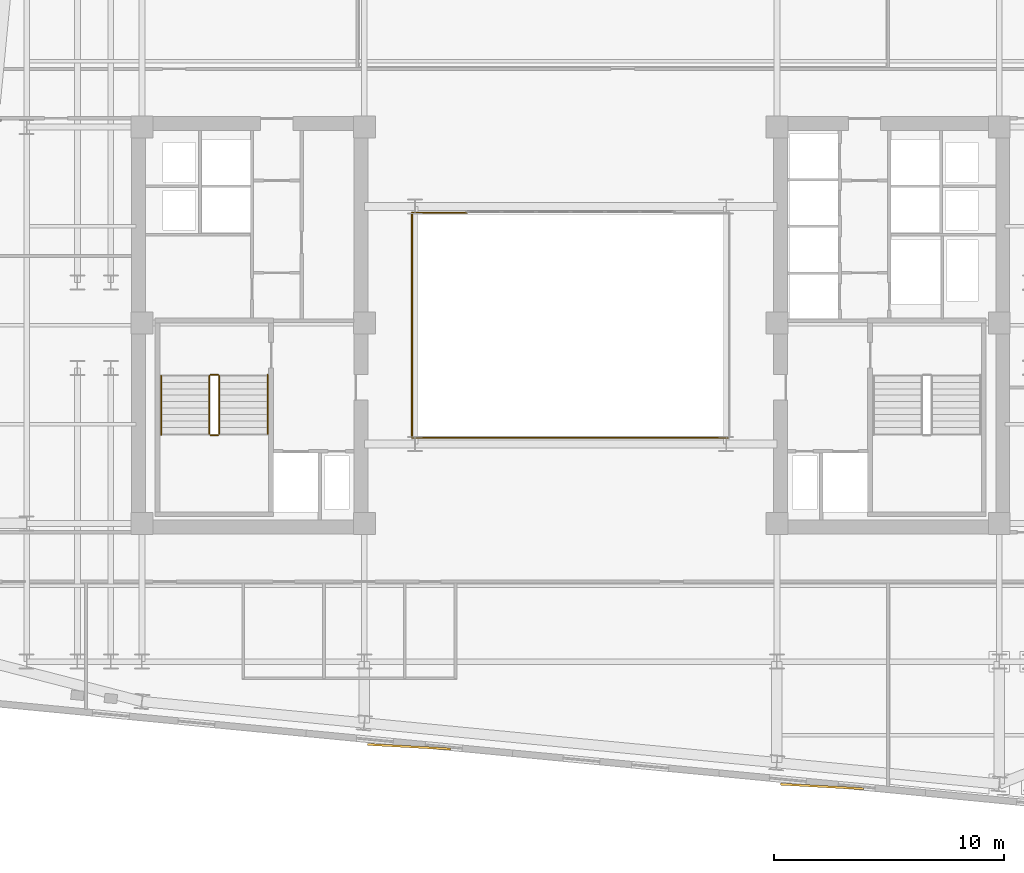
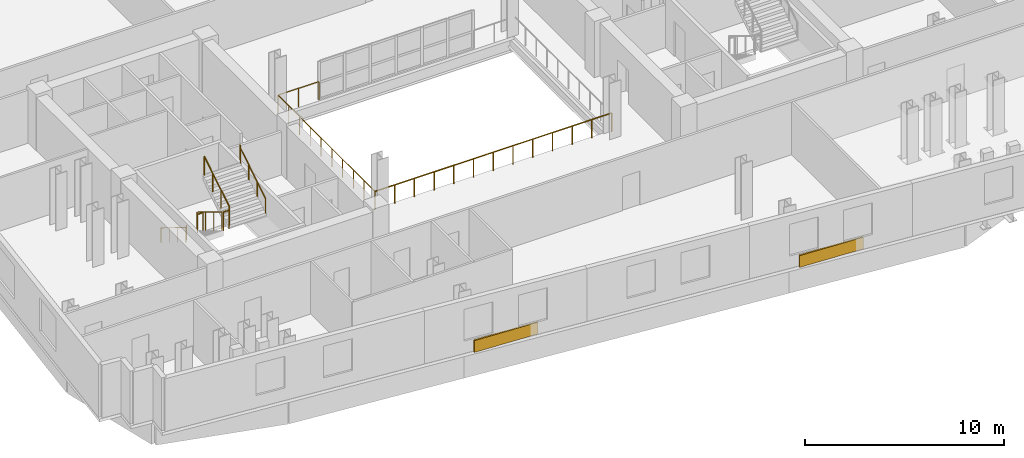
# One storey, part 9 of 11: 9 railings, 2 coverings.
"""IFC4 building model written with IfcOpenShell, lengths in metres."""

from ifc_helpers import new_model, si_unit, direction, frame, origin, origin_2d, place, context, subcontext, project, spatial, rectangle, circle, extrude, material, layer, layer_set, type_object, element, save


model = new_model("IFC4")

# Units and contexts
model_context = context("Model", 3, precision=1e-05, world=origin(), true_north=direction((0.0, 1.0)))
body_context = subcontext(model_context, "Body", "Model", "MODEL_VIEW")
ifc_project = project(units=[si_unit("LENGTHUNIT", "METRE"), si_unit("AREAUNIT", "SQUARE_METRE"), si_unit("VOLUMEUNIT", "CUBIC_METRE"), si_unit("PLANEANGLEUNIT", "RADIAN"), si_unit("MASSUNIT", "GRAM", prefix="KILO")], contexts=[model_context])

# Site, building, storey
site_placement = place(None, origin())
site = spatial("IfcSite", under=ifc_project, at=site_placement, CompositionType="ELEMENT")
building_placement = place(site_placement, origin())
building = spatial("IfcBuilding", under=site, at=building_placement, Name="Velakula Bourse", CompositionType="ELEMENT")
storey_placement = place(building_placement, frame((0.0, 0.0, 160.39990234375)))
storey = spatial("IfcBuildingStorey", under=building, at=storey_placement, Name="L43", CompositionType="ELEMENT", Elevation=160.39990234375)

# Coverings
ifc_material_1 = material(Name="Buff kilned clay facing brick masonry", Category="masonry")
ifc_layer = layer(ifc_material_1, 0.074951171875, Name="Buff kilned clay facing brick masonry", Category="masonry")
ifc_layer_set = layer_set([ifc_layer], Name="Buff kilned clay facing brick masonry")
covering_type = type_object("IfcCoveringType", Name="COV-BRK-SPN-75", PredefinedType="CLADDING", material=ifc_layer_set)
for number, where, z_axis, x_axis, name in (
    (1, (-7.01220703125, -18.288330078125, 0.0), (0.0, 0.0, 1.0), (0.998489097451, -0.054950179912, 0.0), "L43 Folded Brick Facade Cladding Panel S-B2"),
    (2, (10.905029296875, -20.013671875, 0.0), (0.0, 0.0, 1.0), (0.998489097451, -0.054950179912, 0.0), "L43 Folded Brick Facade Cladding Panel S-B4"),
):
    element("IfcCovering", number, at=place(storey_placement, frame(where, z_axis=z_axis, x_axis=x_axis)), inside=storey, type_object=covering_type, Name=name, PredefinedType="CLADDING", context=body_context, shape_type="SweptSolid", body=[
        extrude(rectangle(XDim=3.60009765625, YDim=0.090087890625, at=origin_2d()), origin(), (0.0, 0.0, 1.0), 0.719970703125),
    ])

# Railings
ifc_material_2 = material(Name="Brushed grade 316 stainless steel", Category="steel")
railing_type_1 = type_object("IfcRailingType", Name="RLG-ATRIUM-1150", PredefinedType="BALUSTRADE", material=ifc_material_2)
railing_1_placement = place(storey_placement, frame((-6.8798828125, -4.8798828125, 0.0)))
element("IfcRailing", 3, at=railing_1_placement, inside=storey, type_object=railing_type_1, Name="L43 Central Trading Atrium Balustrade S", PredefinedType="BALUSTRADE", context=body_context, shape_type="SweptSolid", body=[
    extrude(circle(Radius=0.02392578125, at=origin_2d()), frame((0.0, 0.0, 1.1259765625), z_axis=(1.0, 0.0, 0.0), x_axis=(0.0, 1.0, 0.0)), (0.0, 0.0, 1.0), 13.759765625),
    extrude(circle(Radius=0.02099609375, at=origin_2d()), origin(), (0.0, 0.0, 1.0), 1.101806640625),
    extrude(circle(Radius=0.02099609375, at=origin_2d()), frame((1.146728515625, 0.0, 0.0)), (0.0, 0.0, 1.0), 1.101806640625),
    extrude(circle(Radius=0.02099609375, at=origin_2d()), frame((2.293212890625, 0.0, 0.0)), (0.0, 0.0, 1.0), 1.101806640625),
    extrude(circle(Radius=0.02099609375, at=origin_2d()), frame((3.43994140625, 0.0, 0.0)), (0.0, 0.0, 1.0), 1.101806640625),
    extrude(circle(Radius=0.02099609375, at=origin_2d()), frame((4.586669921875, 0.0, 0.0)), (0.0, 0.0, 1.0), 1.101806640625),
    extrude(circle(Radius=0.02099609375, at=origin_2d()), frame((5.733154296875, 0.0, 0.0)), (0.0, 0.0, 1.0), 1.101806640625),
    extrude(circle(Radius=0.02099609375, at=origin_2d()), frame((6.8798828125, 0.0, 0.0)), (0.0, 0.0, 1.0), 1.101806640625),
    extrude(circle(Radius=0.02099609375, at=origin_2d()), frame((8.026611328125, 0.0, 0.0)), (0.0, 0.0, 1.0), 1.101806640625),
    extrude(circle(Radius=0.02099609375, at=origin_2d()), frame((9.173095703125, 0.0, 0.0)), (0.0, 0.0, 1.0), 1.101806640625),
    extrude(circle(Radius=0.02099609375, at=origin_2d()), frame((10.31982421875, 0.0, 0.0)), (0.0, 0.0, 1.0), 1.101806640625),
    extrude(circle(Radius=0.02099609375, at=origin_2d()), frame((11.466552734375, 0.0, 0.0)), (0.0, 0.0, 1.0), 1.101806640625),
    extrude(circle(Radius=0.02099609375, at=origin_2d()), frame((12.613037109375, 0.0, 0.0)), (0.0, 0.0, 1.0), 1.101806640625),
    extrude(circle(Radius=0.02099609375, at=origin_2d()), frame((13.759765625, 0.0, 0.0)), (0.0, 0.0, 1.0), 1.101806640625),
])
railing_2_placement = place(storey_placement, frame((-6.8798828125, 4.8798828125, 0.0)))
element("IfcRailing", 4, at=railing_2_placement, inside=storey, type_object=railing_type_1, Name="L43 Central Trading Atrium Balustrade W", PredefinedType="BALUSTRADE", context=body_context, shape_type="SweptSolid", body=[
    extrude(circle(Radius=0.02392578125, at=origin_2d()), frame((0.0, 0.0, 1.1259765625), z_axis=(0.0, -1.0, 0.0), x_axis=(1.0, 0.0, 0.0)), (0.0, 0.0, 1.0), 9.759765625),
    extrude(circle(Radius=0.02099609375, at=origin_2d()), origin(), (0.0, 0.0, 1.0), 1.101806640625),
    extrude(circle(Radius=0.02099609375, at=origin_2d()), frame((0.0, -1.08447265625, 0.0)), (0.0, 0.0, 1.0), 1.101806640625),
    extrude(circle(Radius=0.02099609375, at=origin_2d()), frame((0.0, -2.1689453125, 0.0)), (0.0, 0.0, 1.0), 1.101806640625),
    extrude(circle(Radius=0.02099609375, at=origin_2d()), frame((0.0, -3.253173828125, 0.0)), (0.0, 0.0, 1.0), 1.101806640625),
    extrude(circle(Radius=0.02099609375, at=origin_2d()), frame((0.0, -4.337646484375, 0.0)), (0.0, 0.0, 1.0), 1.101806640625),
    extrude(circle(Radius=0.02099609375, at=origin_2d()), frame((0.0, -5.422119140625, 0.0)), (0.0, 0.0, 1.0), 1.101806640625),
    extrude(circle(Radius=0.02099609375, at=origin_2d()), frame((0.0, -6.506591796875, 0.0)), (0.0, 0.0, 1.0), 1.101806640625),
    extrude(circle(Radius=0.02099609375, at=origin_2d()), frame((0.0, -7.5908203125, 0.0)), (0.0, 0.0, 1.0), 1.101806640625),
    extrude(circle(Radius=0.02099609375, at=origin_2d()), frame((0.0, -8.67529296875, 0.0)), (0.0, 0.0, 1.0), 1.101806640625),
    extrude(circle(Radius=0.02099609375, at=origin_2d()), frame((0.0, -9.759765625, 0.0)), (0.0, 0.0, 1.0), 1.101806640625),
])
railing_3_placement = place(storey_placement, frame((-4.5, 4.8798828125, 0.0)))
element("IfcRailing", 5, at=railing_3_placement, inside=storey, type_object=railing_type_1, Name="L43 Central Trading Atrium Balustrade NW", PredefinedType="BALUSTRADE", context=body_context, shape_type="SweptSolid", body=[
    extrude(circle(Radius=0.02392578125, at=origin_2d()), frame((0.0, 0.0, 1.1259765625), z_axis=(-1.0, 0.0, 0.0), x_axis=(0.0, -1.0, 0.0)), (0.0, 0.0, 1.0), 2.3798828125),
    extrude(circle(Radius=0.02099609375, at=origin_2d()), origin(), (0.0, 0.0, 1.0), 1.101806640625),
    extrude(circle(Radius=0.02099609375, at=origin_2d()), frame((-1.18994140625, 0.0, 0.0)), (0.0, 0.0, 1.0), 1.101806640625),
    extrude(circle(Radius=0.02099609375, at=origin_2d()), frame((-2.3798828125, 0.0, 0.0)), (0.0, 0.0, 1.0), 1.101806640625),
])
railing_type_2 = type_object("IfcRailingType", Name="RLG-STAIR-GUARD-1150", PredefinedType="BALUSTRADE", material=ifc_material_2)
railing_4_placement = place(storey_placement, frame((-15.672119140625, -2.199951171875, 0.172607421875)))
element("IfcRailing", 6, at=railing_4_placement, inside=storey, type_object=railing_type_2, Name="L43 ST-W1 stair guard 1", PredefinedType="BALUSTRADE", context=body_context, shape_type="SweptSolid", body=[
    extrude(circle(Radius=0.02490234375, at=origin_2d()), frame((0.0, 0.0, 1.125), z_axis=(0.0, -0.851400495292, 0.524516154772), x_axis=(1.0, 0.0, 0.0)), (0.0, 0.0, 1.0), 2.9599609375),
    extrude(circle(Radius=0.02099609375, at=origin_2d()), origin(), (0.0, 0.0, 1.0), 1.099853515625),
    extrude(circle(Radius=0.02099609375, at=origin_2d()), frame((0.0, -0.840087890625, 0.517578125)), (0.0, 0.0, 1.0), 1.099853515625),
    extrude(circle(Radius=0.02099609375, at=origin_2d()), frame((0.0, -1.679931640625, 1.034912109375)), (0.0, 0.0, 1.0), 1.099853515625),
    extrude(circle(Radius=0.02099609375, at=origin_2d()), frame((0.0, -2.52001953125, 1.552490234375)), (0.0, 0.0, 1.0), 1.099853515625),
])
railing_5_placement = place(storey_placement, frame((-15.6220703125, -4.77001953125, 1.72509765625)))
element("IfcRailing", 7, at=railing_5_placement, inside=storey, type_object=railing_type_2, Name="L43 ST-W1 stair guard 2", PredefinedType="BALUSTRADE", context=body_context, shape_type="SweptSolid", body=[
    extrude(circle(Radius=0.02490234375, at=origin_2d()), frame((0.0, 0.0, 1.125), z_axis=(1.0, 0.0, 0.0), x_axis=(0.0, 1.0, 0.0)), (0.0, 0.0, 1.0), 0.323974609375),
    extrude(circle(Radius=0.02099609375, at=origin_2d()), origin(), (0.0, 0.0, 1.0), 1.099853515625),
    extrude(circle(Radius=0.02099609375, at=origin_2d()), frame((0.323974609375, 0.0, 0.0)), (0.0, 0.0, 1.0), 1.099853515625),
])
railing_6_placement = place(storey_placement, frame((-15.248046875, -4.719970703125, 1.897705078125)))
element("IfcRailing", 8, at=railing_6_placement, inside=storey, type_object=railing_type_2, Name="L43 ST-W1 stair guard 3", PredefinedType="BALUSTRADE", context=body_context, shape_type="SweptSolid", body=[
    extrude(circle(Radius=0.02490234375, at=origin_2d()), frame((0.0, 0.0, 1.125), z_axis=(0.0, 0.851400495292, 0.524516154772), x_axis=(-1.0, 0.0, 0.0)), (0.0, 0.0, 1.0), 2.9599609375),
    extrude(circle(Radius=0.02099609375, at=origin_2d()), origin(), (0.0, 0.0, 1.0), 1.099853515625),
    extrude(circle(Radius=0.02099609375, at=origin_2d()), frame((0.0, 0.840087890625, 0.517578125)), (0.0, 0.0, 1.0), 1.099853515625),
    extrude(circle(Radius=0.02099609375, at=origin_2d()), frame((0.0, 1.679931640625, 1.034912109375)), (0.0, 0.0, 1.0), 1.099853515625),
    extrude(circle(Radius=0.02099609375, at=origin_2d()), frame((0.0, 2.52001953125, 1.552490234375)), (0.0, 0.0, 1.0), 1.099853515625),
])
railing_7_placement = place(storey_placement, frame((-15.6220703125, -2.14990234375, 0.0)))
element("IfcRailing", 9, at=railing_7_placement, inside=storey, type_object=railing_type_2, Name="L43 ST-W1 stair guard 4", PredefinedType="BALUSTRADE", context=body_context, shape_type="SweptSolid", body=[
    extrude(circle(Radius=0.02490234375, at=origin_2d()), frame((0.0, 0.0, 1.125), z_axis=(1.0, 0.0, 0.0), x_axis=(0.0, 1.0, 0.0)), (0.0, 0.0, 1.0), 0.323974609375),
    extrude(circle(Radius=0.02099609375, at=origin_2d()), origin(), (0.0, 0.0, 1.0), 1.099853515625),
    extrude(circle(Radius=0.02099609375, at=origin_2d()), frame((0.323974609375, 0.0, 0.0)), (0.0, 0.0, 1.0), 1.099853515625),
])
railing_type_3 = type_object("IfcRailingType", Name="RLG-STAIR-HAND-920", PredefinedType="HANDRAIL", material=ifc_material_2)
railing_8_placement = place(storey_placement, frame((-17.77001953125, -2.199951171875, 0.172607421875)))
element("IfcRailing", 10, at=railing_8_placement, inside=storey, type_object=railing_type_3, Name="L43 ST-W1 stair handrail 1", PredefinedType="HANDRAIL", context=body_context, shape_type="SweptSolid", body=[
    extrude(circle(Radius=0.02099609375, at=origin_2d()), frame((0.0, 0.0, 0.89892578125), z_axis=(0.0, -0.851400495292, 0.524516154772), x_axis=(1.0, 0.0, 0.0)), (0.0, 0.0, 1.0), 2.9599609375),
    extrude(circle(Radius=0.02099609375, at=origin_2d()), frame((0.0, -2.52001953125, 2.451416015625), z_axis=(0.0, -0.22596628056, 0.974135124123), x_axis=(1.0, 0.0, 0.0)), (0.0, 0.0, 1.0), 0.17724609375),
    extrude(circle(Radius=0.02099609375, at=origin_2d()), frame((0.0, -2.56005859375, 2.6240234375), z_axis=(0.0, -1.0, 0.0), x_axis=(1.0, 0.0, 0.0)), (0.0, 0.0, 1.0), 0.0048828125),
    extrude(circle(Radius=0.02099609375, at=origin_2d()), origin(), (0.0, 0.0, 1.0), 0.8779296875),
    extrude(circle(Radius=0.02099609375, at=origin_2d()), frame((0.0, -0.840087890625, 0.517578125)), (0.0, 0.0, 1.0), 0.8779296875),
    extrude(circle(Radius=0.02099609375, at=origin_2d()), frame((0.0, -1.679931640625, 1.034912109375)), (0.0, 0.0, 1.0), 0.8779296875),
    extrude(circle(Radius=0.02099609375, at=origin_2d()), frame((0.0, -2.52001953125, 1.552490234375)), (0.0, 0.0, 1.0), 0.8779296875),
    extrude(circle(Radius=0.02099609375, at=origin_2d()), frame((0.0, -2.56005859375, 1.72509765625)), (0.0, 0.0, 1.0), 0.8779296875),
    extrude(circle(Radius=0.02099609375, at=origin_2d()), frame((0.0, -2.56494140625, 1.72509765625)), (0.0, 0.0, 1.0), 0.8779296875),
])
railing_9_placement = place(storey_placement, frame((-13.14990234375, -4.719970703125, 1.897705078125)))
element("IfcRailing", 11, at=railing_9_placement, inside=storey, type_object=railing_type_3, Name="L43 ST-W1 stair handrail 2", PredefinedType="HANDRAIL", context=body_context, shape_type="SweptSolid", body=[
    extrude(circle(Radius=0.02099609375, at=origin_2d()), frame((0.0, 0.0, 0.89892578125), z_axis=(0.0, 0.851400495292, 0.524516154772), x_axis=(-1.0, 0.0, 0.0)), (0.0, 0.0, 1.0), 2.9599609375),
    extrude(circle(Radius=0.02099609375, at=origin_2d()), frame((0.0, 2.52001953125, 2.451416015625), z_axis=(0.0, 0.226269970362, 0.974064628509), x_axis=(-1.0, 0.0, 0.0)), (0.0, 0.0, 1.0), 0.177001953125),
    extrude(circle(Radius=0.02099609375, at=origin_2d()), frame((0.0, 2.56005859375, 2.623779296875), z_axis=(0.0, 1.0, 0.0), x_axis=(-1.0, 0.0, 0.0)), (0.0, 0.0, 1.0), 0.0048828125),
    extrude(circle(Radius=0.02099609375, at=origin_2d()), origin(), (0.0, 0.0, 1.0), 0.8779296875),
    extrude(circle(Radius=0.02099609375, at=origin_2d()), frame((0.0, 0.840087890625, 0.517578125)), (0.0, 0.0, 1.0), 0.8779296875),
    extrude(circle(Radius=0.02099609375, at=origin_2d()), frame((0.0, 1.679931640625, 1.034912109375)), (0.0, 0.0, 1.0), 0.8779296875),
    extrude(circle(Radius=0.02099609375, at=origin_2d()), frame((0.0, 2.52001953125, 1.552490234375)), (0.0, 0.0, 1.0), 0.8779296875),
    extrude(circle(Radius=0.02099609375, at=origin_2d()), frame((0.0, 2.56005859375, 1.724853515625)), (0.0, 0.0, 1.0), 0.8779296875),
    extrude(circle(Radius=0.02099609375, at=origin_2d()), frame((0.0, 2.56494140625, 1.724853515625)), (0.0, 0.0, 1.0), 0.8779296875),
])

save(model, "model.ifc")
